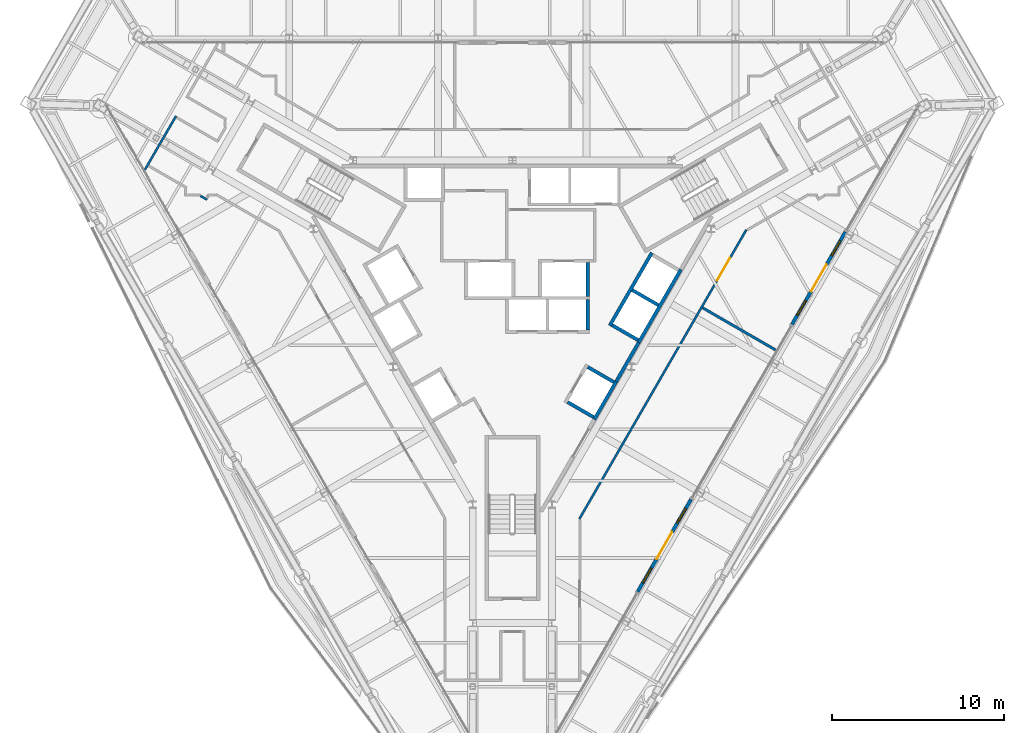
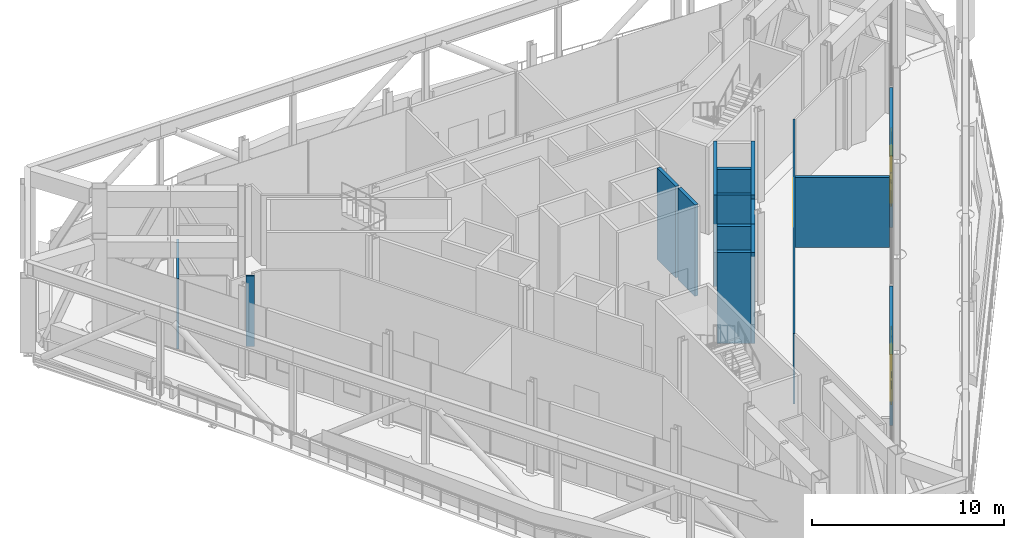
# One storey, part 15 of 24: 16 walls, 4 windows, 3 doors, 7 openings.
"""IFC4 building model written with IfcOpenShell, lengths in metres."""

from ifc_helpers import new_model, si_unit, direction, frame, frame_2d, origin, place, context, subcontext, project, spatial, rectangle, extrude, material, layer, layer_set, type_object, element, fill, save


model = new_model("IFC4")

# Units and contexts
model_context = context("Model", 3, precision=1e-05, world=origin(), true_north=direction((0.0, 1.0)))
body_context = subcontext(model_context, "Body", "Model", "MODEL_VIEW")
ifc_project = project(units=[si_unit("LENGTHUNIT", "METRE"), si_unit("AREAUNIT", "SQUARE_METRE"), si_unit("VOLUMEUNIT", "CUBIC_METRE"), si_unit("PLANEANGLEUNIT", "RADIAN"), si_unit("MASSUNIT", "GRAM", prefix="KILO")], contexts=[model_context])

# Site, building, storey
site_placement = place(None, origin())
site = spatial("IfcSite", under=ifc_project, at=site_placement, CompositionType="ELEMENT")
building_placement = place(site_placement, origin())
building = spatial("IfcBuilding", under=site, at=building_placement, Name="Verrane Prism Tower", CompositionType="ELEMENT")
storey_placement = place(building_placement, frame((0.0, 0.0, 200.60009765625)))
storey = spatial("IfcBuildingStorey", under=building, at=storey_placement, Name="L50", CompositionType="ELEMENT", Elevation=200.60009765625)

# Walls
ifc_material_1 = material(Name="Gypsum board partition", Category="other")
ifc_layer_1 = layer(ifc_material_1, 0.199951171875)
ifc_layer_set_1 = layer_set([ifc_layer_1], Name="CW-200 core boundary wall 2 h")
wall_type_1 = type_object("IfcWallType", Name="CW-200 core boundary wall 2 h", PredefinedType="PARTITIONING", material=ifc_layer_set_1)
wall_1_placement = place(storey_placement, frame((6.0419921875, -4.85498046875, 0.0), z_axis=(0.0, 0.0, 1.0), x_axis=(0.500252727967, 0.865879442048, 0.0)))
element("IfcWall", 1, at=wall_1_placement, inside=storey, type_object=wall_type_1, Name="Core boundary wall CW3-007", PredefinedType="PARTITIONING", context=body_context, shape_type="SweptSolid", body=[
    extrude(rectangle(XDim=2.616943359375, YDim=0.199951171875, at=frame_2d((1.30859375, 0.0))), origin(), (0.0, 0.0, 1.0), 5.5498046875),
])
ifc_material_2 = material(Name="Gypsum board shaft wall assembly", Category="other")
ifc_layer_2 = layer(ifc_material_2, 0.199951171875)
ifc_layer_set_2 = layer_set([ifc_layer_2], Name="HW-200 lift shaft wall 2 h")
wall_type_2 = type_object("IfcWallType", Name="HW-200 lift shaft wall 2 h", PredefinedType="PARTITIONING", material=ifc_layer_set_2)
wall_2_placement = place(storey_placement, frame((4.766357421875, -7.064697265625, 0.0), z_axis=(0.0, 0.0, 1.0), x_axis=(0.499948979701, 0.866054858364, 0.0)))
element("IfcWall", 2, at=wall_2_placement, inside=storey, type_object=wall_type_2, Name="Lift shaft wall", PredefinedType="PARTITIONING", context=body_context, shape_type="SweptSolid", body=[
    extrude(rectangle(XDim=2.550048828125, YDim=0.199951171875, at=frame_2d((1.27490234375, 0.0))), origin(), (0.0, 0.0, 1.0), 5.7998046875),
])
wall_3_placement = place(storey_placement, frame((7.351318359375, -2.587158203125, 0.0), z_axis=(0.0, 0.0, 1.0), x_axis=(0.500002801628, 0.866023786258, 0.0)))
element("IfcWall", 3, at=wall_3_placement, inside=storey, type_object=wall_type_2, Name="Lift shaft wall", PredefinedType="PARTITIONING", context=body_context, shape_type="SweptSolid", body=[
    extrude(rectangle(XDim=4.89990234375, YDim=0.199951171875, at=frame_2d((2.449951171875, 0.0))), origin(), (0.0, 0.0, 1.0), 5.7998046875),
])
wall_4_placement = place(storey_placement, frame((5.66259765625, -1.6123046875, 0.0), z_axis=(0.0, 0.0, 1.0), x_axis=(0.49998122708, 0.866036242063, 0.0)))
element("IfcWall", 4, at=wall_4_placement, inside=storey, type_object=wall_type_2, Name="Lift shaft wall", PredefinedType="PARTITIONING", context=body_context, shape_type="SweptSolid", body=[
    extrude(rectangle(XDim=4.900146484375, YDim=0.199951171875, at=frame_2d((2.4501953125, 0.0))), origin(), (0.0, 0.0, 1.0), 5.7998046875),
])
wall_5_placement = place(storey_placement, frame((4.39501953125, -1.85009765625, 0.0), z_axis=(0.0, 0.0, 1.0), x_axis=(0.0, 1.0, 0.0)))
element("IfcWall", 5, at=wall_5_placement, inside=storey, type_object=wall_type_2, Name="Lift shaft wall", PredefinedType="PARTITIONING", context=body_context, shape_type="SweptSolid", body=[
    extrude(rectangle(XDim=1.75, YDim=0.199951171875, at=frame_2d((0.875, 0.0))), origin(), (0.0, 0.0, 1.0), 5.7998046875),
])
wall_6_placement = place(storey_placement, frame((4.375, 0.10009765625, 0.0), z_axis=(0.0, 0.0, 1.0), x_axis=(0.0, 1.0, 0.0)))
element("IfcWall", 6, at=wall_6_placement, inside=storey, type_object=wall_type_2, Name="Lift shaft wall", PredefinedType="PARTITIONING", context=body_context, shape_type="SweptSolid", body=[
    extrude(rectangle(XDim=1.949951171875, YDim=0.199951171875, at=frame_2d((0.97509765625, 0.0))), origin(), (0.0, 0.0, 1.0), 5.7998046875),
])
for number, where, z_axis, x_axis, name in (
    (7, (8.48974609375, -0.41552734375, 0.0), (0.0, 0.0, 1.0), (-0.866036909293, 0.499980071345, 0.0), "Lift shaft wall"),
    (8, (7.314697265625, -2.45068359375, 0.0), (0.0, 0.0, 1.0), (-0.866036909293, 0.499980071345, 0.0), "Lift shaft wall"),
):
    element("IfcWall", number, at=place(storey_placement, frame(where, z_axis=z_axis, x_axis=x_axis)), inside=storey, type_object=wall_type_2, Name=name, PredefinedType="PARTITIONING", context=body_context, shape_type="SweptSolid", body=[
        extrude(rectangle(XDim=1.75, YDim=0.199951171875, at=frame_2d((0.875, 0.0))), origin(), (0.0, 0.0, 1.0), 5.7998046875),
    ])
wall_7_placement = place(storey_placement, frame((5.904541015625, -4.892822265625, 0.0), z_axis=(0.0, 0.0, 1.0), x_axis=(-0.866002029911, 0.500040482552, 0.0)))
element("IfcWall", 9, at=wall_7_placement, inside=storey, type_object=wall_type_2, Name="Lift shaft wall", PredefinedType="PARTITIONING", context=body_context, shape_type="SweptSolid", body=[
    extrude(rectangle(XDim=1.749755859375, YDim=0.199951171875, at=frame_2d((0.875, 0.0))), origin(), (0.0, 0.0, 1.0), 5.7998046875),
])
wall_8_placement = place(storey_placement, frame((4.729736328125, -6.927978515625, 0.0), z_axis=(0.0, 0.0, 1.0), x_axis=(-0.866036909293, 0.499980071345, 0.0)))
element("IfcWall", 10, at=wall_8_placement, inside=storey, type_object=wall_type_2, Name="Lift shaft wall", PredefinedType="PARTITIONING", context=body_context, shape_type="SweptSolid", body=[
    extrude(rectangle(XDim=1.75, YDim=0.199951171875, at=frame_2d((0.875, 0.0))), origin(), (0.0, 0.0, 1.0), 5.7998046875),
])
ifc_material_3 = material(Name="Gypsum board partition", Category="other")
ifc_layer_3 = layer(ifc_material_3, 0.125)
ifc_layer_set_3 = layer_set([ifc_layer_3], Name="PW-125 corridor wall 1 h")
wall_type_3 = type_object("IfcWallType", Name="PW-125 corridor wall 1 h", PredefinedType="PARTITIONING", material=ifc_layer_set_3)
wall_9_placement = place(storey_placement, frame((-21.35986328125, 7.465087890625, 0.0), z_axis=(0.0, 0.0, 1.0), x_axis=(0.501337933971, 0.86525156802, 0.0)))
element("IfcWall", 11, at=wall_9_placement, inside=storey, type_object=wall_type_3, Name="Corridor wall 001", PredefinedType="PARTITIONING", context=body_context, shape_type="SweptSolid", body=[
    extrude(rectangle(XDim=3.6044921875, YDim=0.125, at=frame_2d((1.80224609375, 0.0))), origin(), (0.0, 0.0, 1.0), 4.4619140625),
])
wall_10_placement = place(storey_placement, frame((-18.134521484375, 5.939453125, 0.0), z_axis=(0.0, 0.0, 1.0), x_axis=(0.865150363836, -0.501512560116, 0.0)))
element("IfcWall", 12, at=wall_10_placement, inside=storey, type_object=wall_type_3, Name="Corridor wall 008", PredefinedType="PARTITIONING", context=body_context, shape_type="SweptSolid", body=[
    extrude(rectangle(XDim=0.4443359375, YDim=0.125, at=frame_2d((0.22216796875, 0.0))), origin(), (0.0, 0.0, 1.0), 4.4619140625),
])

# Wall, opening, door
wall_11_placement = place(storey_placement, frame((13.605224609375, 3.965087890625, 0.0), z_axis=(0.0, 0.0, 1.0), x_axis=(-0.499989213553, -0.866031631253, 0.0)))
wall_11 = element("IfcWall", 13, at=wall_11_placement, inside=storey, type_object=wall_type_3, Name="Corridor wall 033", PredefinedType="PARTITIONING", context=body_context, shape_type="SweptSolid", body=[
    extrude(rectangle(XDim=19.40966796875, YDim=0.125, at=frame_2d((9.704833984375, 0.0))), origin(), (0.0, 0.0, 1.0), 4.4619140625),
])
opening_1_placement = place(wall_11_placement, frame((1.89892578125, 0.0, 0.0)))
opening_1 = element("IfcOpeningElement", 14, at=opening_1_placement, cuts=wall_11, Name="Opening D50008", PredefinedType="OPENING", context=body_context, shape_type="SweptSolid", body=[
    extrude(rectangle(XDim=1.5, YDim=2.10009765625, at=frame_2d((0.75, 1.050048828125))), frame((0.0, 0.072509765625, 0.0), z_axis=(0.0, -1.0, 0.0), x_axis=(1.0, 0.0, 0.0)), (0.0, 0.0, 1.0), 0.14501953125),
])
ifc_material_4 = material(Name="Timber veneered door leaf", Category="wood")
door_type_1 = type_object("IfcDoorType", Name="DR-1500x2100 FD60 double leaf unit", OperationType="NOTDEFINED", PredefinedType="DOOR", material=ifc_material_4)
door_1_placement = place(opening_1_placement, origin())
door_1 = element("IfcDoor", 15, at=door_1_placement, inside=storey, type_object=door_type_1, Name="Refuge Area door", OperationType="DOUBLE_DOOR_SINGLE_SWING", OverallHeight=2.10009765625, OverallWidth=1.5, PredefinedType="DOOR", context=body_context, shape_type="SweptSolid", body=[
    extrude(rectangle(XDim=1.5, YDim=2.10009765625, at=frame_2d((0.75, 1.050048828125))), frame((0.0, 0.02490234375, 0.0), z_axis=(0.0, -1.0, 0.0), x_axis=(1.0, 0.0, 0.0)), (0.0, 0.0, 1.0), 0.050048828125),
])
fill(opening_1, door_1)

# Wall
ifc_material_5 = material(Name="Gypsum board partition", Category="other")
ifc_layer_4 = layer(ifc_material_5, 0.14990234375)
ifc_layer_set_4 = layer_set([ifc_layer_4], Name="PW-150 demising wall 1 h")
wall_type_4 = type_object("IfcWallType", Name="PW-150 demising wall 1 h", PredefinedType="PARTITIONING", material=ifc_layer_set_4)
wall_12_placement = place(storey_placement, frame((11.06005859375, -0.568359375, 0.0), z_axis=(0.0, 0.0, 1.0), x_axis=(0.865980327456, -0.500078066365, 0.0)))
element("IfcWall", 16, at=wall_12_placement, inside=storey, type_object=wall_type_4, Name="Demising wall 035", PredefinedType="PARTITIONING", context=body_context, shape_type="SweptSolid", body=[
    extrude(rectangle(XDim=4.892822265625, YDim=0.14990234375, at=frame_2d((2.4462890625, 0.0))), origin(), (0.0, 0.0, 1.0), 4.4619140625),
])

# Wall, openings, door, windows
ifc_material_6 = material(Name="Aluminium framed insulated glazing", Category="aluminium")
ifc_layer_5 = layer(ifc_material_6, 0.199951171875)
ifc_layer_set_5 = layer_set([ifc_layer_5], Name="Refuge screen wall 200")
wall_type_5 = type_object("IfcWallType", Name="Refuge screen wall 200", PredefinedType="SOLIDWALL", material=ifc_layer_set_5)
wall_13_placement = place(storey_placement, frame((7.28759765625, -17.07958984375, 0.0), z_axis=(0.0, 0.0, 1.0), x_axis=(0.500009909098, 0.866019682689, 0.0)))
wall_13 = element("IfcWall", 17, at=wall_13_placement, inside=storey, type_object=wall_type_5, Name="Refuge screen wall south-east face L50", PredefinedType="SOLIDWALL", context=body_context, shape_type="SweptSolid", body=[
    extrude(rectangle(XDim=6.199951171875, YDim=0.199951171875, at=frame_2d((3.10009765625, 0.0))), origin(), (0.0, 0.0, 1.0), 4.522216796875),
])
opening_2_placement = place(wall_13_placement, frame((0.60009765625, 0.0, 0.89990234375)))
opening_2 = element("IfcOpeningElement", 18, at=opening_2_placement, cuts=wall_13, Name="Opening W50707", PredefinedType="OPENING", context=body_context, shape_type="SweptSolid", body=[
    extrude(rectangle(XDim=1.0, YDim=1.5, at=frame_2d((0.5, 0.75))), frame((0.0, 0.10986328125, 0.0), z_axis=(0.0, -1.0, 0.0), x_axis=(1.0, 0.0, 0.0)), (0.0, 0.0, 1.0), 0.219970703125),
])
opening_3_placement = place(wall_13_placement, frame((2.199951171875, 0.0, 0.0)))
opening_3 = element("IfcOpeningElement", 19, at=opening_3_placement, cuts=wall_13, Name="Opening D50704", PredefinedType="OPENING", context=body_context, shape_type="SweptSolid", body=[
    extrude(rectangle(XDim=1.800048828125, YDim=2.39990234375, at=frame_2d((0.89990234375, 1.199951171875))), frame((0.0, 0.10986328125, 0.0), z_axis=(0.0, -1.0, 0.0), x_axis=(1.0, 0.0, 0.0)), (0.0, 0.0, 1.0), 0.219970703125),
])
opening_4_placement = place(wall_13_placement, frame((4.60009765625, 0.0, 0.89990234375)))
opening_4 = element("IfcOpeningElement", 20, at=opening_4_placement, cuts=wall_13, Name="Opening W50708", PredefinedType="OPENING", context=body_context, shape_type="SweptSolid", body=[
    extrude(rectangle(XDim=1.0, YDim=1.5, at=frame_2d((0.5, 0.75))), frame((0.0, 0.10986328125, 0.0), z_axis=(0.0, -1.0, 0.0), x_axis=(1.0, 0.0, 0.0)), (0.0, 0.0, 1.0), 0.219970703125),
])
ifc_material_7 = material(Name="Aluminium framed glazing", Category="aluminium")
door_type_2 = type_object("IfcDoorType", Name="DR-1800x2400 double glazed garden door", OperationType="DOUBLE_DOOR_SINGLE_SWING", PredefinedType="DOOR", material=ifc_material_7)
door_2_placement = place(opening_3_placement, frame((1.800048828125, 0.0, 0.0), z_axis=(0.0, 0.0, 1.0), x_axis=(-1.0, 0.0, 0.0)))
door_2 = element("IfcDoor", 21, at=door_2_placement, inside=storey, type_object=door_type_2, Name="Refuge terrace door D50704", OperationType="DOUBLE_DOOR_SINGLE_SWING", OverallHeight=2.39990234375, OverallWidth=1.800048828125, PredefinedType="DOOR", context=body_context, shape_type="SweptSolid", body=[
    extrude(rectangle(XDim=1.800048828125, YDim=2.39990234375, at=frame_2d((0.89990234375, 1.199951171875))), frame((0.0, 0.02490234375, 0.0), z_axis=(0.0, -1.0, 0.0), x_axis=(1.0, 0.0, 0.0)), (0.0, 0.0, 1.0), 0.050048828125),
])
fill(opening_3, door_2)
ifc_material_8 = material(Name="Aluminium framed glazing", Category="aluminium")
window_type = type_object("IfcWindowType", Name="Vent window 1000x1500 top hung", PartitioningType="SINGLE_PANEL", PredefinedType="WINDOW", material=ifc_material_8)
window_1_placement = place(opening_2_placement, origin())
window_1 = element("IfcWindow", 22, at=window_1_placement, inside=storey, type_object=window_type, Name="Vent window W50707", OverallHeight=1.5, OverallWidth=1.0, PartitioningType="SINGLE_PANEL", PredefinedType="WINDOW", context=body_context, shape_type="SweptSolid", body=[
    extrude(rectangle(XDim=1.0, YDim=1.5, at=frame_2d((0.5, 0.75))), frame((0.0, 0.030029296875, 0.0), z_axis=(0.0, -1.0, 0.0), x_axis=(1.0, 0.0, 0.0)), (0.0, 0.0, 1.0), 0.06005859375),
])
fill(opening_2, window_1)
window_2_placement = place(opening_4_placement, origin())
window_2 = element("IfcWindow", 23, at=window_2_placement, inside=storey, type_object=window_type, Name="Vent window W50708", OverallHeight=1.5, OverallWidth=1.0, PartitioningType="SINGLE_PANEL", PredefinedType="WINDOW", context=body_context, shape_type="SweptSolid", body=[
    extrude(rectangle(XDim=1.0, YDim=1.5, at=frame_2d((0.5, 0.75))), frame((0.0, 0.030029296875, 0.0), z_axis=(0.0, -1.0, 0.0), x_axis=(1.0, 0.0, 0.0)), (0.0, 0.0, 1.0), 0.06005859375),
])
fill(opening_4, window_2)

wall_14_placement = place(storey_placement, frame((16.26708984375, -1.526611328125, 0.0), z_axis=(0.0, 0.0, 1.0), x_axis=(0.499997426962, 0.866026889324, 0.0)))
wall_14 = element("IfcWall", 24, at=wall_14_placement, inside=storey, type_object=wall_type_5, Name="Refuge screen wall south-east face L50", PredefinedType="SOLIDWALL", context=body_context, shape_type="SweptSolid", body=[
    extrude(rectangle(XDim=6.19970703125, YDim=0.199951171875, at=frame_2d((3.099853515625, 0.0))), origin(), (0.0, 0.0, 1.0), 4.522216796875),
])
opening_5_placement = place(wall_14_placement, frame((0.60009765625, 0.0, 0.89990234375)))
opening_5 = element("IfcOpeningElement", 25, at=opening_5_placement, cuts=wall_14, Name="Opening W50709", PredefinedType="OPENING", context=body_context, shape_type="SweptSolid", body=[
    extrude(rectangle(XDim=1.0, YDim=1.5, at=frame_2d((0.5, 0.75))), frame((0.0, 0.10986328125, 0.0), z_axis=(0.0, -1.0, 0.0), x_axis=(1.0, 0.0, 0.0)), (0.0, 0.0, 1.0), 0.219970703125),
])
opening_6_placement = place(wall_14_placement, frame((2.199951171875, 0.0, 0.0)))
opening_6 = element("IfcOpeningElement", 26, at=opening_6_placement, cuts=wall_14, Name="Opening D50705", PredefinedType="OPENING", context=body_context, shape_type="SweptSolid", body=[
    extrude(rectangle(XDim=1.800048828125, YDim=2.39990234375, at=frame_2d((0.89990234375, 1.199951171875))), frame((0.0, 0.10986328125, 0.0), z_axis=(0.0, -1.0, 0.0), x_axis=(1.0, 0.0, 0.0)), (0.0, 0.0, 1.0), 0.219970703125),
])
opening_7_placement = place(wall_14_placement, frame((4.60009765625, 0.0, 0.89990234375)))
opening_7 = element("IfcOpeningElement", 27, at=opening_7_placement, cuts=wall_14, Name="Opening W50710", PredefinedType="OPENING", context=body_context, shape_type="SweptSolid", body=[
    extrude(rectangle(XDim=1.0, YDim=1.5, at=frame_2d((0.5, 0.75))), frame((0.0, 0.10986328125, 0.0), z_axis=(0.0, -1.0, 0.0), x_axis=(1.0, 0.0, 0.0)), (0.0, 0.0, 1.0), 0.219970703125),
])
door_3_placement = place(opening_6_placement, frame((1.800048828125, 0.0, 0.0), z_axis=(0.0, 0.0, 1.0), x_axis=(-1.0, 0.0, 0.0)))
door_3 = element("IfcDoor", 28, at=door_3_placement, inside=storey, type_object=door_type_2, Name="Refuge terrace door D50705", OperationType="DOUBLE_DOOR_SINGLE_SWING", OverallHeight=2.39990234375, OverallWidth=1.800048828125, PredefinedType="DOOR", context=body_context, shape_type="SweptSolid", body=[
    extrude(rectangle(XDim=1.800048828125, YDim=2.39990234375, at=frame_2d((0.89990234375, 1.199951171875))), frame((0.0, 0.02490234375, 0.0), z_axis=(0.0, -1.0, 0.0), x_axis=(1.0, 0.0, 0.0)), (0.0, 0.0, 1.0), 0.050048828125),
])
fill(opening_6, door_3)
window_3_placement = place(opening_5_placement, origin())
window_3 = element("IfcWindow", 29, at=window_3_placement, inside=storey, type_object=window_type, Name="Vent window W50709", OverallHeight=1.5, OverallWidth=1.0, PartitioningType="SINGLE_PANEL", PredefinedType="WINDOW", context=body_context, shape_type="SweptSolid", body=[
    extrude(rectangle(XDim=1.0, YDim=1.5, at=frame_2d((0.5, 0.75))), frame((0.0, 0.030029296875, 0.0), z_axis=(0.0, -1.0, 0.0), x_axis=(1.0, 0.0, 0.0)), (0.0, 0.0, 1.0), 0.06005859375),
])
fill(opening_5, window_3)
window_4_placement = place(opening_7_placement, origin())
window_4 = element("IfcWindow", 30, at=window_4_placement, inside=storey, type_object=window_type, Name="Vent window W50710", OverallHeight=1.5, OverallWidth=1.0, PartitioningType="SINGLE_PANEL", PredefinedType="WINDOW", context=body_context, shape_type="SweptSolid", body=[
    extrude(rectangle(XDim=1.0, YDim=1.5, at=frame_2d((0.5, 0.75))), frame((0.0, 0.030029296875, 0.0), z_axis=(0.0, -1.0, 0.0), x_axis=(1.0, 0.0, 0.0)), (0.0, 0.0, 1.0), 0.06005859375),
])
fill(opening_7, window_4)

save(model, "model.ifc")
